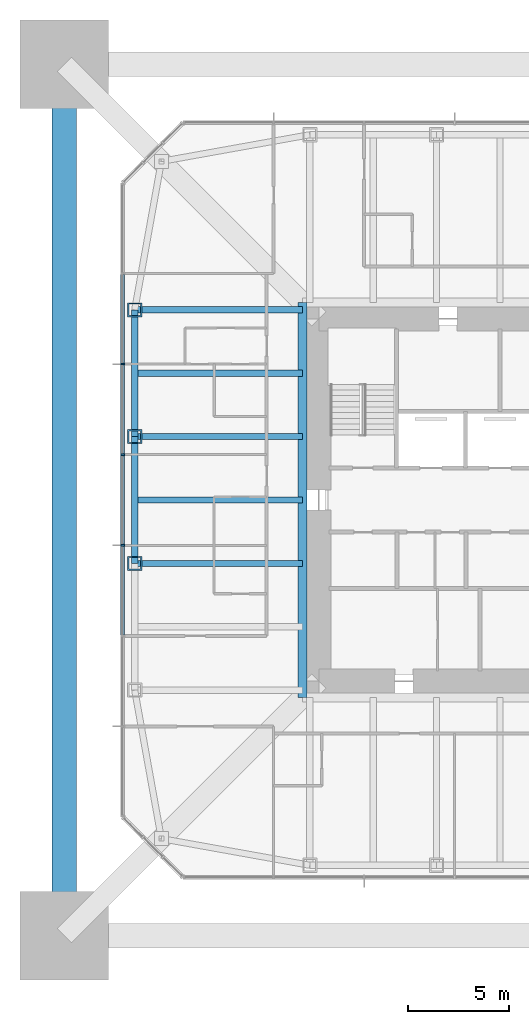
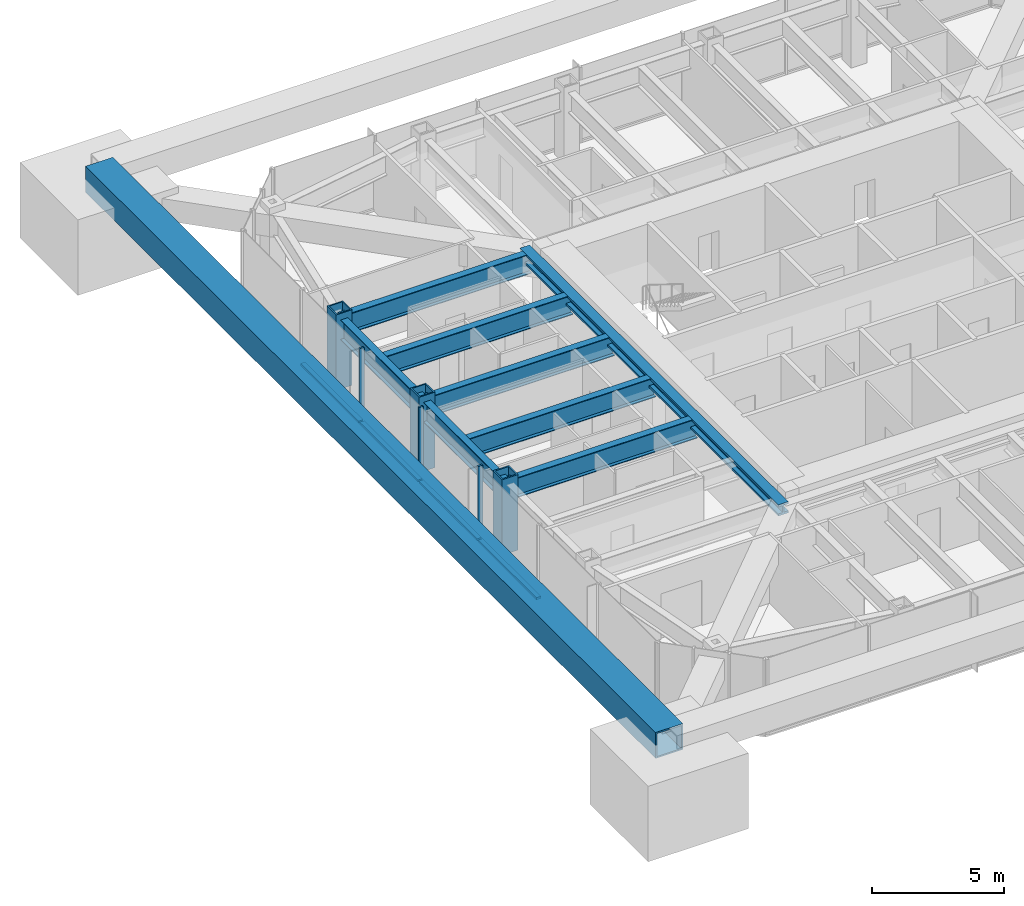
# One storey, part 4 of 15: 11 members, 8 beams, 1 element without a shape of its own.
"""IFC4 building model written with IfcOpenShell, lengths in metres."""

from ifc_helpers import new_model, si_unit, direction, frame, origin, origin_2d, place, context, subcontext, project, spatial, rectangle, hollow_rectangle, i_section, extrude, material, material_profile, profile_set, type_object, element, aggregate, save


model = new_model("IFC4")

# Units and contexts
model_context = context("Model", 3, precision=1e-05, world=origin(), true_north=direction((0.0, 1.0)))
body_context = subcontext(model_context, "Body", "Model", "MODEL_VIEW")
ifc_project = project(units=[si_unit("LENGTHUNIT", "METRE"), si_unit("AREAUNIT", "SQUARE_METRE"), si_unit("VOLUMEUNIT", "CUBIC_METRE"), si_unit("PLANEANGLEUNIT", "RADIAN"), si_unit("MASSUNIT", "GRAM", prefix="KILO")], contexts=[model_context])

# Site, building, storey
site_placement = place(None, origin())
site = spatial("IfcSite", under=ifc_project, at=site_placement, CompositionType="ELEMENT")
building_placement = place(site_placement, origin())
building = spatial("IfcBuilding", under=site, at=building_placement, Name="Iwan Alto Co-Living Towers", CompositionType="ELEMENT")
storey_placement = place(building_placement, frame((0.0, 0.0, 205.5)))
storey = spatial("IfcBuildingStorey", under=building, at=storey_placement, Name="L56", CompositionType="ELEMENT", Elevation=205.5)

# Curtain wall, members
ifc_material_1 = material(Name="Bronze aluminium unitised frame", Category="aluminium")
curtain_wall_type = type_object("IfcCurtainWallType", Name="CURTAIN WALL CW-A", PredefinedType="NOTDEFINED", material=ifc_material_1)
curtain_wall_placement = place(storey_placement, origin())
curtain_wall = element("IfcCurtainWall", 1, at=curtain_wall_placement, inside=storey, type_object=curtain_wall_type, Name="T1 curtain wall W L56", PredefinedType="NOTDEFINED")
ifc_material_2 = material(Name="Aluminium 6063-T6 bronze anodised", Category="aluminium")
ifc_material_profile_1 = material_profile(ifc_material_2, rectangle(XDim=0.199951171875, YDim=0.080078125, at=origin_2d()), Name="AL 80X200")
ifc_profile_set_1 = profile_set([ifc_material_profile_1], Name="Aluminium 6063-T6 bronze anodised")
member_type_1 = type_object("IfcMemberType", Name="CW-A MULLION 80X200", PredefinedType="MULLION", material=ifc_profile_set_1)
member_1_placement = place(storey_placement, frame((-18.75, 6.75, 0.0), z_axis=(0.0, 0.0, 1.0), x_axis=(1.0, 0.0, 0.0)))
member_1 = element("IfcMember", 2, at=member_1_placement, type_object=member_type_1, Name="CW-A mullion 3", PredefinedType="MULLION", context=body_context, shape_type="SweptSolid", body=[
    extrude(rectangle(XDim=0.199951171875, YDim=0.080078125, at=origin_2d()), origin(), (0.0, 0.0, 1.0), 3.5),
])
member_2_placement = place(storey_placement, frame((-18.75, 2.25, 0.0), z_axis=(0.0, 0.0, 1.0), x_axis=(1.0, 0.0, 0.0)))
member_2 = element("IfcMember", 3, at=member_2_placement, type_object=member_type_1, Name="CW-A mullion 4", PredefinedType="MULLION", context=body_context, shape_type="SweptSolid", body=[
    extrude(rectangle(XDim=0.199951171875, YDim=0.080078125, at=origin_2d()), origin(), (0.0, 0.0, 1.0), 3.5),
])
member_3_placement = place(storey_placement, frame((-18.75, -2.25, 0.0), z_axis=(0.0, 0.0, 1.0), x_axis=(1.0, 0.0, 0.0)))
member_3 = element("IfcMember", 4, at=member_3_placement, type_object=member_type_1, Name="CW-A mullion 5", PredefinedType="MULLION", context=body_context, shape_type="SweptSolid", body=[
    extrude(rectangle(XDim=0.199951171875, YDim=0.080078125, at=origin_2d()), origin(), (0.0, 0.0, 1.0), 3.5),
])
ifc_material_3 = material(Name="Aluminium 6063-T6 bronze anodised", Category="aluminium")
ifc_material_profile_2 = material_profile(ifc_material_3, rectangle(XDim=0.199951171875, YDim=0.10009765625, at=origin_2d()), Name="AL 200X100")
ifc_profile_set_2 = profile_set([ifc_material_profile_2], Name="Aluminium 6063-T6 bronze anodised")
member_type_2 = type_object("IfcMemberType", Name="CW-A TRANSOM 200X100", PredefinedType="USERDEFINED", material=ifc_profile_set_2)
member_4_placement = place(storey_placement, frame((-18.75, 11.2099609375, 0.050048828125), z_axis=(0.0, -1.0, 0.0), x_axis=(1.0, 0.0, 0.0)))
member_4 = element("IfcMember", 5, at=member_4_placement, type_object=member_type_2, Name="CW-A transom 2.1", ObjectType="TRANSOM", PredefinedType="USERDEFINED", context=body_context, shape_type="SweptSolid", body=[
    extrude(rectangle(XDim=0.199951171875, YDim=0.10009765625, at=origin_2d()), origin(), (0.0, 0.0, 1.0), 4.419921875),
])
member_5_placement = place(storey_placement, frame((-18.75, 6.7099609375, 0.050048828125), z_axis=(0.0, -1.0, 0.0), x_axis=(1.0, 0.0, 0.0)))
member_5 = element("IfcMember", 6, at=member_5_placement, type_object=member_type_2, Name="CW-A transom 3.1", ObjectType="TRANSOM", PredefinedType="USERDEFINED", context=body_context, shape_type="SweptSolid", body=[
    extrude(rectangle(XDim=0.199951171875, YDim=0.10009765625, at=origin_2d()), origin(), (0.0, 0.0, 1.0), 4.419921875),
])
member_6_placement = place(storey_placement, frame((-18.75, 2.2099609375, 0.050048828125), z_axis=(0.0, -1.0, 0.0), x_axis=(1.0, 0.0, 0.0)))
member_6 = element("IfcMember", 7, at=member_6_placement, type_object=member_type_2, Name="CW-A transom 4.1", ObjectType="TRANSOM", PredefinedType="USERDEFINED", context=body_context, shape_type="SweptSolid", body=[
    extrude(rectangle(XDim=0.199951171875, YDim=0.10009765625, at=origin_2d()), origin(), (0.0, 0.0, 1.0), 4.419921875),
])
member_7_placement = place(storey_placement, frame((-18.75, -2.2900390625, 0.050048828125), z_axis=(0.0, -1.0, 0.0), x_axis=(1.0, 0.0, 0.0)))
member_7 = element("IfcMember", 8, at=member_7_placement, type_object=member_type_2, Name="CW-A transom 5.1", ObjectType="TRANSOM", PredefinedType="USERDEFINED", context=body_context, shape_type="SweptSolid", body=[
    extrude(rectangle(XDim=0.199951171875, YDim=0.10009765625, at=origin_2d()), origin(), (0.0, 0.0, 1.0), 4.419921875),
])
aggregate(curtain_wall, [member_1, member_2, member_3, member_4, member_5, member_6, member_7])

# Beams
ifc_material_4 = material(Name="Steel ASTM A992 Gr 50", Category="steel")
ifc_material_profile_3 = material_profile(ifc_material_4, i_section(OverallWidth=0.307373046875, OverallDepth=0.927001953125, WebThickness=0.01953125, FlangeThickness=0.031982421875, at=origin_2d()), Name="W36X194")
ifc_profile_set_3 = profile_set([ifc_material_profile_3], Name="Steel ASTM A992 Gr 50")
beam_type_1 = type_object("IfcBeamType", Name="T1 BELT TRUSS CHORD W36X194", PredefinedType="BEAM", material=ifc_profile_set_3)
beam_1_placement = place(storey_placement, frame((-18.14990234375, 9.449951171875, 2.736328125), z_axis=(0.0, -1.0, 0.0), x_axis=(1.0, 0.0, 0.0)))
element("IfcBeam", 9, at=beam_1_placement, inside=storey, type_object=beam_type_1, Name="T1 edge beam W1 L57", PredefinedType="BEAM", context=body_context, shape_type="SweptSolid", body=[
    extrude(i_section(OverallWidth=0.307373046875, OverallDepth=0.927001953125, WebThickness=0.01953125, FlangeThickness=0.031982421875, at=origin_2d()), origin(), (0.0, 0.0, 1.0), 6.300048828125),
])
beam_2_placement = place(storey_placement, frame((-18.14990234375, 3.14990234375, 2.736328125), z_axis=(0.0, -1.0, 0.0), x_axis=(1.0, 0.0, 0.0)))
element("IfcBeam", 10, at=beam_2_placement, inside=storey, type_object=beam_type_1, Name="T1 edge beam W2 L57", PredefinedType="BEAM", context=body_context, shape_type="SweptSolid", body=[
    extrude(i_section(OverallWidth=0.307373046875, OverallDepth=0.927001953125, WebThickness=0.01953125, FlangeThickness=0.031982421875, at=origin_2d()), origin(), (0.0, 0.0, 1.0), 6.2998046875),
])
ifc_material_5 = material(Name="Steel ASTM A992 Gr 50", Category="steel")
ifc_material_profile_4 = material_profile(ifc_material_5, i_section(OverallWidth=0.436767578125, OverallDepth=0.51318359375, WebThickness=0.060546875, FlangeThickness=0.096923828125, at=origin_2d()), Name="W14X550")
ifc_profile_set_4 = profile_set([ifc_material_profile_4], Name="Steel ASTM A992 Gr 50")
beam_type_2 = type_object("IfcBeamType", Name="T1 CORE LEDGER BEAM W14X550", PredefinedType="BEAM", material=ifc_profile_set_4)
beam_3_placement = place(storey_placement, frame((-9.818359375, 9.818359375, 2.943359375), z_axis=(0.0, -1.0, 0.0), x_axis=(1.0, 0.0, 0.0)))
element("IfcBeam", 11, at=beam_3_placement, inside=storey, type_object=beam_type_2, Name="T1 core ledger beam W L57", PredefinedType="BEAM", context=body_context, shape_type="SweptSolid", body=[
    extrude(i_section(OverallWidth=0.436767578125, OverallDepth=0.51318359375, WebThickness=0.060546875, FlangeThickness=0.096923828125, at=origin_2d()), origin(), (0.0, 0.0, 1.0), 19.63671875),
])

# Member
ifc_material_6 = material(Name="Steel ASTM A572 Gr 50", Category="steel")
ifc_material_profile_5 = material_profile(ifc_material_6, hollow_rectangle(XDim=1.199951171875, YDim=1.199951171875, WallThickness=0.070068359375, at=origin_2d()), Name="BOX 1200X1200X70")
ifc_profile_set_5 = profile_set([ifc_material_profile_5], Name="Steel ASTM A572 Gr 50")
member_type_3 = type_object("IfcMemberType", Name="T1 MEGA BELT TIE BOX 1200X1200X70", PredefinedType="STRUT", material=ifc_profile_set_5)
member_8_placement = place(storey_placement, frame((-21.64990234375, 21.64990234375, 3.5), z_axis=(0.0, -1.0, 0.0), x_axis=(1.0, 0.0, 0.0)))
element("IfcMember", 12, at=member_8_placement, inside=storey, type_object=member_type_3, Name="T1 mega belt tie W L57", PredefinedType="STRUT", context=body_context, shape_type="SweptSolid", body=[
    extrude(hollow_rectangle(XDim=1.199951171875, YDim=1.199951171875, WallThickness=0.070068359375, at=origin_2d()), origin(), (0.0, 0.0, 1.0), 43.2998046875),
])

# Beams
ifc_material_7 = material(Name="Steel ASTM A992 Gr 50", Category="steel")
ifc_material_profile_6 = material_profile(ifc_material_7, i_section(OverallWidth=0.307373046875, OverallDepth=0.927001953125, WebThickness=0.01953125, FlangeThickness=0.031982421875, at=origin_2d()), Name="W36X194")
ifc_profile_set_6 = profile_set([ifc_material_profile_6], Name="Steel ASTM A992 Gr 50")
beam_type_3 = type_object("IfcBeamType", Name="T1 RADIAL BEAM W36X194", PredefinedType="BEAM", material=ifc_profile_set_6)
for number, where, z_axis, x_axis, name in (
    (13, (-18.14990234375, 9.449951171875, 2.736328125), (1.0, 0.0, 0.0), (0.0, 1.0, 0.0), "T1 radial beam W1 L57"),
    (14, (-18.14990234375, 3.14990234375, 2.736328125), (1.0, 0.0, 0.0), (0.0, 1.0, 0.0), "T1 radial beam W2 L57"),
    (15, (-18.14990234375, -3.14990234375, 2.736328125), (1.0, 0.0, 0.0), (0.0, 1.0, 0.0), "T1 radial beam W3 L57"),
):
    element("IfcBeam", number, at=place(storey_placement, frame(where, z_axis=z_axis, x_axis=x_axis)), inside=storey, type_object=beam_type_3, Name=name, PredefinedType="BEAM", context=body_context, shape_type="SweptSolid", body=[
        extrude(i_section(OverallWidth=0.307373046875, OverallDepth=0.927001953125, WebThickness=0.01953125, FlangeThickness=0.031982421875, at=origin_2d()), origin(), (0.0, 0.0, 1.0), 8.33154296875),
    ])

# Members
ifc_material_8 = material(Name="Steel ASTM A572 Gr 50", Category="steel")
ifc_material_profile_7 = material_profile(ifc_material_8, hollow_rectangle(XDim=0.699951171875, YDim=0.699951171875, WallThickness=0.06005859375, at=origin_2d()), Name="BOX 700X700X60")
ifc_profile_set_7 = profile_set([ifc_material_profile_7], Name="Steel ASTM A572 Gr 50")
member_type_4 = type_object("IfcMemberType", Name="T1 RING POST AT STEP BOX 700X700X60", PredefinedType="MEMBER", material=ifc_profile_set_7)
for number, where, z_axis, x_axis, name in (
    (16, (-18.14990234375, 9.449951171875, 0.0), (0.0, 0.0, 1.0), (1.0, 0.0, 0.0), "T1 ring post at step W1 L56"),
    (17, (-18.14990234375, 3.14990234375, 0.0), (0.0, 0.0, 1.0), (1.0, 0.0, 0.0), "T1 ring post at step W2 L56"),
    (18, (-18.14990234375, -3.14990234375, 0.0), (0.0, 0.0, 1.0), (1.0, 0.0, 0.0), "T1 ring post at step W3 L56"),
):
    element("IfcMember", number, at=place(storey_placement, frame(where, z_axis=z_axis, x_axis=x_axis)), inside=storey, type_object=member_type_4, Name=name, PredefinedType="MEMBER", context=body_context, shape_type="SweptSolid", body=[
        extrude(hollow_rectangle(XDim=0.699951171875, YDim=0.699951171875, WallThickness=0.06005859375, at=origin_2d()), origin(), (0.0, 0.0, 1.0), 3.5),
    ])

# Beams
ifc_material_9 = material(Name="Steel ASTM A992 Gr 50", Category="steel")
ifc_material_profile_8 = material_profile(ifc_material_9, i_section(OverallWidth=0.307373046875, OverallDepth=0.927001953125, WebThickness=0.01953125, FlangeThickness=0.031982421875, at=origin_2d()), Name="W36X194")
ifc_profile_set_8 = profile_set([ifc_material_profile_8], Name="Steel ASTM A992 Gr 50")
beam_type_4 = type_object("IfcBeamType", Name="T1 SECONDARY BEAM W36X194", PredefinedType="JOIST", material=ifc_profile_set_8)
for number, where, z_axis, x_axis, name in (
    (19, (-18.14990234375, 6.300048828125, 2.736328125), (1.0, 0.0, 0.0), (0.0, 1.0, 0.0), "T1 secondary beam W1 L57"),
    (20, (-18.14990234375, 0.0, 2.736328125), (1.0, 0.0, 0.0), (0.0, 1.0, 0.0), "T1 secondary beam W2 L57"),
):
    element("IfcBeam", number, at=place(storey_placement, frame(where, z_axis=z_axis, x_axis=x_axis)), inside=storey, type_object=beam_type_4, Name=name, PredefinedType="JOIST", context=body_context, shape_type="SweptSolid", body=[
        extrude(i_section(OverallWidth=0.307373046875, OverallDepth=0.927001953125, WebThickness=0.01953125, FlangeThickness=0.031982421875, at=origin_2d()), origin(), (0.0, 0.0, 1.0), 8.33154296875),
    ])

save(model, "model.ifc")
